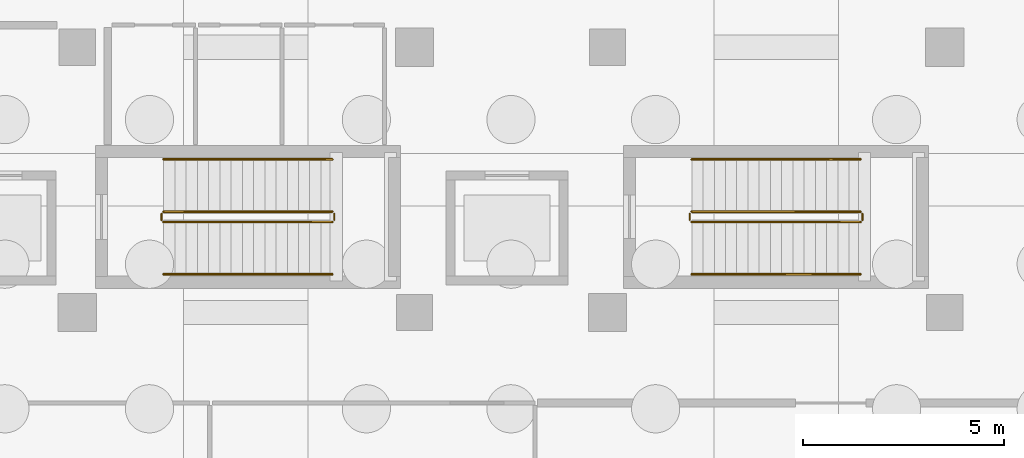
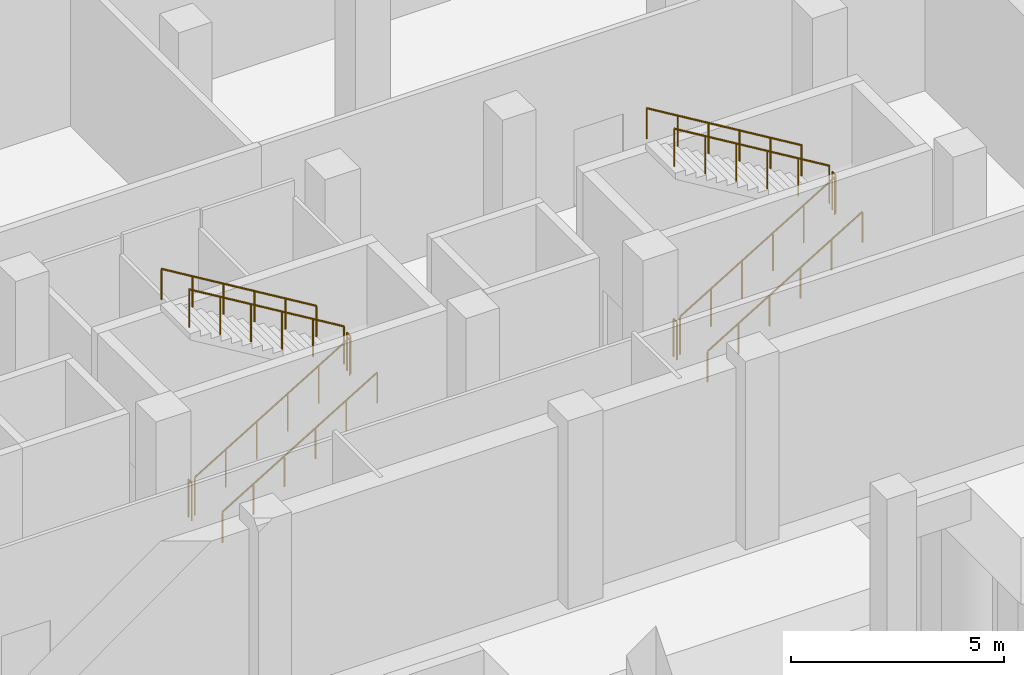
# One storey, part 17 of 23: 12 railings.
"""IFC4 building model written with IfcOpenShell, lengths in metres."""

from ifc_helpers import new_model, si_unit, direction, frame, origin, origin_2d, place, context, subcontext, project, spatial, circle, extrude, material, layer, layer_set, type_object, element, save


model = new_model("IFC4")

# Units and contexts
model_context = context("Model", 3, precision=1e-05, world=origin(), true_north=direction((0.0, 1.0)))
body_context = subcontext(model_context, "Body", "Model", "MODEL_VIEW")
ifc_project = project(units=[si_unit("LENGTHUNIT", "METRE"), si_unit("AREAUNIT", "SQUARE_METRE"), si_unit("VOLUMEUNIT", "CUBIC_METRE"), si_unit("PLANEANGLEUNIT", "RADIAN"), si_unit("MASSUNIT", "GRAM", prefix="KILO")], contexts=[model_context])

# Site, building, storey
site_placement = place(None, origin())
site = spatial("IfcSite", under=ifc_project, at=site_placement, CompositionType="ELEMENT")
building_placement = place(site_placement, origin())
building = spatial("IfcBuilding", under=site, at=building_placement, Name="Dornvale Research Institute", CompositionType="ELEMENT")
storey_placement = place(building_placement, frame((0.0, 0.0, -5.39990234375)))
storey = spatial("IfcBuildingStorey", under=building, at=storey_placement, Name="B1", CompositionType="ELEMENT", Elevation=-5.39990234375)

# Railings
ifc_material_1 = material(Name="Galvanized Painted Tubular Steel Stair Rail", Category="steel")
ifc_layer_1 = layer(ifc_material_1, 0.050048828125)
ifc_layer_set_1 = layer_set([ifc_layer_1], Name="Galvanized Painted Tubular Steel Stair Rail")
railing_type_1 = type_object("IfcRailingType", Name="Railing_Stair_Guard_1100", PredefinedType="GUARDRAIL", material=ifc_layer_set_1)
railing_1_placement = place(storey_placement, frame((21.949951171875, 106.050048828125, 0.168701171875)))
element("IfcRailing", 1, at=railing_1_placement, inside=storey, type_object=railing_type_1, Name="B1 ST-1 stair guard 1", PredefinedType="GUARDRAIL", context=body_context, shape_type="SweptSolid", body=[
    extrude(circle(Radius=0.02392578125, at=origin_2d()), frame((0.0, 0.0, 1.076171875), z_axis=(0.856476492594, 0.0, 0.516186030065), x_axis=(0.0, 1.0, 0.0)), (0.0, 0.0, 1.0), 4.90380859375),
    extrude(circle(Radius=0.02099609375, at=origin_2d()), origin(), (0.0, 0.0, 1.0), 1.052001953125),
    extrude(circle(Radius=0.02099609375, at=origin_2d()), frame((0.840087890625, 0.0, 0.50634765625)), (0.0, 0.0, 1.0), 1.052001953125),
    extrude(circle(Radius=0.02099609375, at=origin_2d()), frame((1.679931640625, 0.0, 1.012451171875)), (0.0, 0.0, 1.0), 1.052001953125),
    extrude(circle(Radius=0.02099609375, at=origin_2d()), frame((2.52001953125, 0.0, 1.518798828125)), (0.0, 0.0, 1.0), 1.052001953125),
    extrude(circle(Radius=0.02099609375, at=origin_2d()), frame((3.35986328125, 0.0, 2.02490234375)), (0.0, 0.0, 1.0), 1.052001953125),
    extrude(circle(Radius=0.02099609375, at=origin_2d()), frame((4.199951171875, 0.0, 2.53125)), (0.0, 0.0, 1.0), 1.052001953125),
])
railing_2_placement = place(storey_placement, frame((26.199951171875, 106.10009765625, 2.699951171875)))
element("IfcRailing", 2, at=railing_2_placement, inside=storey, type_object=railing_type_1, Name="B1 ST-1 stair guard 2", PredefinedType="GUARDRAIL", context=body_context, shape_type="SweptSolid", body=[
    extrude(circle(Radius=0.02392578125, at=origin_2d()), frame((0.0, 0.0, 1.076171875), z_axis=(0.0, 1.0, 0.0), x_axis=(-1.0, 0.0, 0.0)), (0.0, 0.0, 1.0), 0.159912109375),
    extrude(circle(Radius=0.02099609375, at=origin_2d()), origin(), (0.0, 0.0, 1.0), 1.052001953125),
    extrude(circle(Radius=0.02099609375, at=origin_2d()), frame((0.0, 0.159912109375, 0.0)), (0.0, 0.0, 1.0), 1.052001953125),
])
railing_3_placement = place(storey_placement, frame((26.14990234375, 106.31005859375, 2.86865234375)))
element("IfcRailing", 3, at=railing_3_placement, inside=storey, type_object=railing_type_1, Name="B1 ST-1 stair guard 3", PredefinedType="GUARDRAIL", context=body_context, shape_type="SweptSolid", body=[
    extrude(circle(Radius=0.02392578125, at=origin_2d()), frame((0.0, 0.0, 1.076171875), z_axis=(-0.856476492594, 0.0, 0.516186030065), x_axis=(0.0, -1.0, 0.0)), (0.0, 0.0, 1.0), 4.90380859375),
    extrude(circle(Radius=0.02099609375, at=origin_2d()), origin(), (0.0, 0.0, 1.0), 1.052001953125),
    extrude(circle(Radius=0.02099609375, at=origin_2d()), frame((-0.840087890625, 0.0, 0.50634765625)), (0.0, 0.0, 1.0), 1.052001953125),
    extrude(circle(Radius=0.02099609375, at=origin_2d()), frame((-1.679931640625, 0.0, 1.012451171875)), (0.0, 0.0, 1.0), 1.052001953125),
    extrude(circle(Radius=0.02099609375, at=origin_2d()), frame((-2.52001953125, 0.0, 1.518798828125)), (0.0, 0.0, 1.0), 1.052001953125),
    extrude(circle(Radius=0.02099609375, at=origin_2d()), frame((-3.35986328125, 0.0, 2.02490234375)), (0.0, 0.0, 1.0), 1.052001953125),
    extrude(circle(Radius=0.02099609375, at=origin_2d()), frame((-4.199951171875, 0.0, 2.53125)), (0.0, 0.0, 1.0), 1.052001953125),
])
railing_4_placement = place(storey_placement, frame((21.89990234375, 106.10009765625, 0.0)))
element("IfcRailing", 4, at=railing_4_placement, inside=storey, type_object=railing_type_1, Name="B1 ST-1 stair guard 4", PredefinedType="GUARDRAIL", context=body_context, shape_type="SweptSolid", body=[
    extrude(circle(Radius=0.02392578125, at=origin_2d()), frame((0.0, 0.0, 1.076171875), z_axis=(0.0, 1.0, 0.0), x_axis=(-1.0, 0.0, 0.0)), (0.0, 0.0, 1.0), 0.159912109375),
    extrude(circle(Radius=0.02099609375, at=origin_2d()), origin(), (0.0, 0.0, 1.0), 1.052001953125),
    extrude(circle(Radius=0.02099609375, at=origin_2d()), frame((0.0, 0.159912109375, 0.0)), (0.0, 0.0, 1.0), 1.052001953125),
])
railing_5_placement = place(storey_placement, frame((35.10009765625, 106.050048828125, 0.168701171875)))
element("IfcRailing", 5, at=railing_5_placement, inside=storey, type_object=railing_type_1, Name="B1 ST-2 stair guard 1", PredefinedType="GUARDRAIL", context=body_context, shape_type="SweptSolid", body=[
    extrude(circle(Radius=0.02392578125, at=origin_2d()), frame((0.0, 0.0, 1.076171875), z_axis=(0.856476492594, 0.0, 0.516186030065), x_axis=(0.0, 1.0, 0.0)), (0.0, 0.0, 1.0), 4.90380859375),
    extrude(circle(Radius=0.02099609375, at=origin_2d()), origin(), (0.0, 0.0, 1.0), 1.052001953125),
    extrude(circle(Radius=0.02099609375, at=origin_2d()), frame((0.840087890625, 0.0, 0.50634765625)), (0.0, 0.0, 1.0), 1.052001953125),
    extrude(circle(Radius=0.02099609375, at=origin_2d()), frame((1.679931640625, 0.0, 1.012451171875)), (0.0, 0.0, 1.0), 1.052001953125),
    extrude(circle(Radius=0.02099609375, at=origin_2d()), frame((2.52001953125, 0.0, 1.518798828125)), (0.0, 0.0, 1.0), 1.052001953125),
    extrude(circle(Radius=0.02099609375, at=origin_2d()), frame((3.35986328125, 0.0, 2.02490234375)), (0.0, 0.0, 1.0), 1.052001953125),
    extrude(circle(Radius=0.02099609375, at=origin_2d()), frame((4.199951171875, 0.0, 2.53125)), (0.0, 0.0, 1.0), 1.052001953125),
])
railing_6_placement = place(storey_placement, frame((39.35009765625, 106.10009765625, 2.699951171875)))
element("IfcRailing", 6, at=railing_6_placement, inside=storey, type_object=railing_type_1, Name="B1 ST-2 stair guard 2", PredefinedType="GUARDRAIL", context=body_context, shape_type="SweptSolid", body=[
    extrude(circle(Radius=0.02392578125, at=origin_2d()), frame((0.0, 0.0, 1.076171875), z_axis=(0.0, 1.0, 0.0), x_axis=(-1.0, 0.0, 0.0)), (0.0, 0.0, 1.0), 0.159912109375),
    extrude(circle(Radius=0.02099609375, at=origin_2d()), origin(), (0.0, 0.0, 1.0), 1.052001953125),
    extrude(circle(Radius=0.02099609375, at=origin_2d()), frame((0.0, 0.159912109375, 0.0)), (0.0, 0.0, 1.0), 1.052001953125),
])
railing_7_placement = place(storey_placement, frame((39.300048828125, 106.31005859375, 2.86865234375)))
element("IfcRailing", 7, at=railing_7_placement, inside=storey, type_object=railing_type_1, Name="B1 ST-2 stair guard 3", PredefinedType="GUARDRAIL", context=body_context, shape_type="SweptSolid", body=[
    extrude(circle(Radius=0.02392578125, at=origin_2d()), frame((0.0, 0.0, 1.076171875), z_axis=(-0.856476492594, 0.0, 0.516186030065), x_axis=(0.0, -1.0, 0.0)), (0.0, 0.0, 1.0), 4.90380859375),
    extrude(circle(Radius=0.02099609375, at=origin_2d()), origin(), (0.0, 0.0, 1.0), 1.052001953125),
    extrude(circle(Radius=0.02099609375, at=origin_2d()), frame((-0.840087890625, 0.0, 0.50634765625)), (0.0, 0.0, 1.0), 1.052001953125),
    extrude(circle(Radius=0.02099609375, at=origin_2d()), frame((-1.679931640625, 0.0, 1.012451171875)), (0.0, 0.0, 1.0), 1.052001953125),
    extrude(circle(Radius=0.02099609375, at=origin_2d()), frame((-2.52001953125, 0.0, 1.518798828125)), (0.0, 0.0, 1.0), 1.052001953125),
    extrude(circle(Radius=0.02099609375, at=origin_2d()), frame((-3.35986328125, 0.0, 2.02490234375)), (0.0, 0.0, 1.0), 1.052001953125),
    extrude(circle(Radius=0.02099609375, at=origin_2d()), frame((-4.199951171875, 0.0, 2.53125)), (0.0, 0.0, 1.0), 1.052001953125),
])
railing_8_placement = place(storey_placement, frame((35.050048828125, 106.10009765625, 0.0)))
element("IfcRailing", 8, at=railing_8_placement, inside=storey, type_object=railing_type_1, Name="B1 ST-2 stair guard 4", PredefinedType="GUARDRAIL", context=body_context, shape_type="SweptSolid", body=[
    extrude(circle(Radius=0.02392578125, at=origin_2d()), frame((0.0, 0.0, 1.076171875), z_axis=(0.0, 1.0, 0.0), x_axis=(-1.0, 0.0, 0.0)), (0.0, 0.0, 1.0), 0.159912109375),
    extrude(circle(Radius=0.02099609375, at=origin_2d()), origin(), (0.0, 0.0, 1.0), 1.052001953125),
    extrude(circle(Radius=0.02099609375, at=origin_2d()), frame((0.0, 0.159912109375, 0.0)), (0.0, 0.0, 1.0), 1.052001953125),
])
ifc_material_2 = material(Name="Galvanized Painted Tubular Steel Stair Rail", Category="steel")
ifc_layer_2 = layer(ifc_material_2, 0.044921875)
ifc_layer_set_2 = layer_set([ifc_layer_2], Name="Galvanized Painted Tubular Steel Stair Rail")
railing_type_2 = type_object("IfcRailingType", Name="Railing_Stair_Handrail_900", PredefinedType="HANDRAIL", material=ifc_layer_set_2)
railing_9_placement = place(storey_placement, frame((21.949951171875, 104.75, 0.168701171875)))
element("IfcRailing", 9, at=railing_9_placement, inside=storey, type_object=railing_type_2, Name="B1 ST-1 stair handrail 1", PredefinedType="HANDRAIL", context=body_context, shape_type="SweptSolid", body=[
    extrude(circle(Radius=0.02392578125, at=origin_2d()), frame((0.0, 0.0, 0.8759765625), z_axis=(0.856476492594, 0.0, 0.516186030065), x_axis=(0.0, 1.0, 0.0)), (0.0, 0.0, 1.0), 4.90380859375),
    extrude(circle(Radius=0.02099609375, at=origin_2d()), origin(), (0.0, 0.0, 1.0), 0.851806640625),
    extrude(circle(Radius=0.02099609375, at=origin_2d()), frame((0.840087890625, 0.0, 0.50634765625)), (0.0, 0.0, 1.0), 0.851806640625),
    extrude(circle(Radius=0.02099609375, at=origin_2d()), frame((1.679931640625, 0.0, 1.012451171875)), (0.0, 0.0, 1.0), 0.851806640625),
    extrude(circle(Radius=0.02099609375, at=origin_2d()), frame((2.52001953125, 0.0, 1.518798828125)), (0.0, 0.0, 1.0), 0.851806640625),
    extrude(circle(Radius=0.02099609375, at=origin_2d()), frame((3.35986328125, 0.0, 2.02490234375)), (0.0, 0.0, 1.0), 0.851806640625),
    extrude(circle(Radius=0.02099609375, at=origin_2d()), frame((4.199951171875, 0.0, 2.53125)), (0.0, 0.0, 1.0), 0.851806640625),
])
railing_10_placement = place(storey_placement, frame((26.14990234375, 107.610107421875, 2.86865234375)))
element("IfcRailing", 10, at=railing_10_placement, inside=storey, type_object=railing_type_2, Name="B1 ST-1 stair handrail 2", PredefinedType="HANDRAIL", context=body_context, shape_type="SweptSolid", body=[
    extrude(circle(Radius=0.02392578125, at=origin_2d()), frame((0.0, 0.0, 0.8759765625), z_axis=(-0.856476492594, 0.0, 0.516186030065), x_axis=(0.0, -1.0, 0.0)), (0.0, 0.0, 1.0), 4.90380859375),
    extrude(circle(Radius=0.02099609375, at=origin_2d()), origin(), (0.0, 0.0, 1.0), 0.851806640625),
    extrude(circle(Radius=0.02099609375, at=origin_2d()), frame((-0.840087890625, 0.0, 0.50634765625)), (0.0, 0.0, 1.0), 0.851806640625),
    extrude(circle(Radius=0.02099609375, at=origin_2d()), frame((-1.679931640625, 0.0, 1.012451171875)), (0.0, 0.0, 1.0), 0.851806640625),
    extrude(circle(Radius=0.02099609375, at=origin_2d()), frame((-2.52001953125, 0.0, 1.518798828125)), (0.0, 0.0, 1.0), 0.851806640625),
    extrude(circle(Radius=0.02099609375, at=origin_2d()), frame((-3.35986328125, 0.0, 2.02490234375)), (0.0, 0.0, 1.0), 0.851806640625),
    extrude(circle(Radius=0.02099609375, at=origin_2d()), frame((-4.199951171875, 0.0, 2.53125)), (0.0, 0.0, 1.0), 0.851806640625),
])
railing_11_placement = place(storey_placement, frame((35.10009765625, 104.75, 0.168701171875)))
element("IfcRailing", 11, at=railing_11_placement, inside=storey, type_object=railing_type_2, Name="B1 ST-2 stair handrail 1", PredefinedType="HANDRAIL", context=body_context, shape_type="SweptSolid", body=[
    extrude(circle(Radius=0.02392578125, at=origin_2d()), frame((0.0, 0.0, 0.8759765625), z_axis=(0.856476492594, 0.0, 0.516186030065), x_axis=(0.0, 1.0, 0.0)), (0.0, 0.0, 1.0), 4.90380859375),
    extrude(circle(Radius=0.02099609375, at=origin_2d()), origin(), (0.0, 0.0, 1.0), 0.851806640625),
    extrude(circle(Radius=0.02099609375, at=origin_2d()), frame((0.840087890625, 0.0, 0.50634765625)), (0.0, 0.0, 1.0), 0.851806640625),
    extrude(circle(Radius=0.02099609375, at=origin_2d()), frame((1.679931640625, 0.0, 1.012451171875)), (0.0, 0.0, 1.0), 0.851806640625),
    extrude(circle(Radius=0.02099609375, at=origin_2d()), frame((2.52001953125, 0.0, 1.518798828125)), (0.0, 0.0, 1.0), 0.851806640625),
    extrude(circle(Radius=0.02099609375, at=origin_2d()), frame((3.35986328125, 0.0, 2.02490234375)), (0.0, 0.0, 1.0), 0.851806640625),
    extrude(circle(Radius=0.02099609375, at=origin_2d()), frame((4.199951171875, 0.0, 2.53125)), (0.0, 0.0, 1.0), 0.851806640625),
])
railing_12_placement = place(storey_placement, frame((39.300048828125, 107.610107421875, 2.86865234375)))
element("IfcRailing", 12, at=railing_12_placement, inside=storey, type_object=railing_type_2, Name="B1 ST-2 stair handrail 2", PredefinedType="HANDRAIL", context=body_context, shape_type="SweptSolid", body=[
    extrude(circle(Radius=0.02392578125, at=origin_2d()), frame((0.0, 0.0, 0.8759765625), z_axis=(-0.856476492594, 0.0, 0.516186030065), x_axis=(0.0, -1.0, 0.0)), (0.0, 0.0, 1.0), 4.90380859375),
    extrude(circle(Radius=0.02099609375, at=origin_2d()), origin(), (0.0, 0.0, 1.0), 0.851806640625),
    extrude(circle(Radius=0.02099609375, at=origin_2d()), frame((-0.840087890625, 0.0, 0.50634765625)), (0.0, 0.0, 1.0), 0.851806640625),
    extrude(circle(Radius=0.02099609375, at=origin_2d()), frame((-1.679931640625, 0.0, 1.012451171875)), (0.0, 0.0, 1.0), 0.851806640625),
    extrude(circle(Radius=0.02099609375, at=origin_2d()), frame((-2.52001953125, 0.0, 1.518798828125)), (0.0, 0.0, 1.0), 0.851806640625),
    extrude(circle(Radius=0.02099609375, at=origin_2d()), frame((-3.35986328125, 0.0, 2.02490234375)), (0.0, 0.0, 1.0), 0.851806640625),
    extrude(circle(Radius=0.02099609375, at=origin_2d()), frame((-4.199951171875, 0.0, 2.53125)), (0.0, 0.0, 1.0), 0.851806640625),
])

save(model, "model.ifc")
